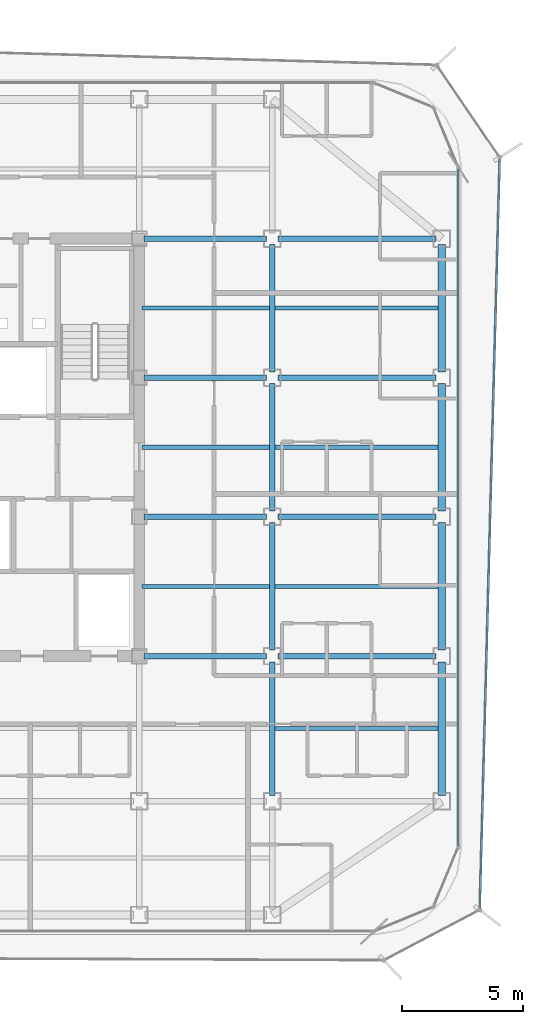
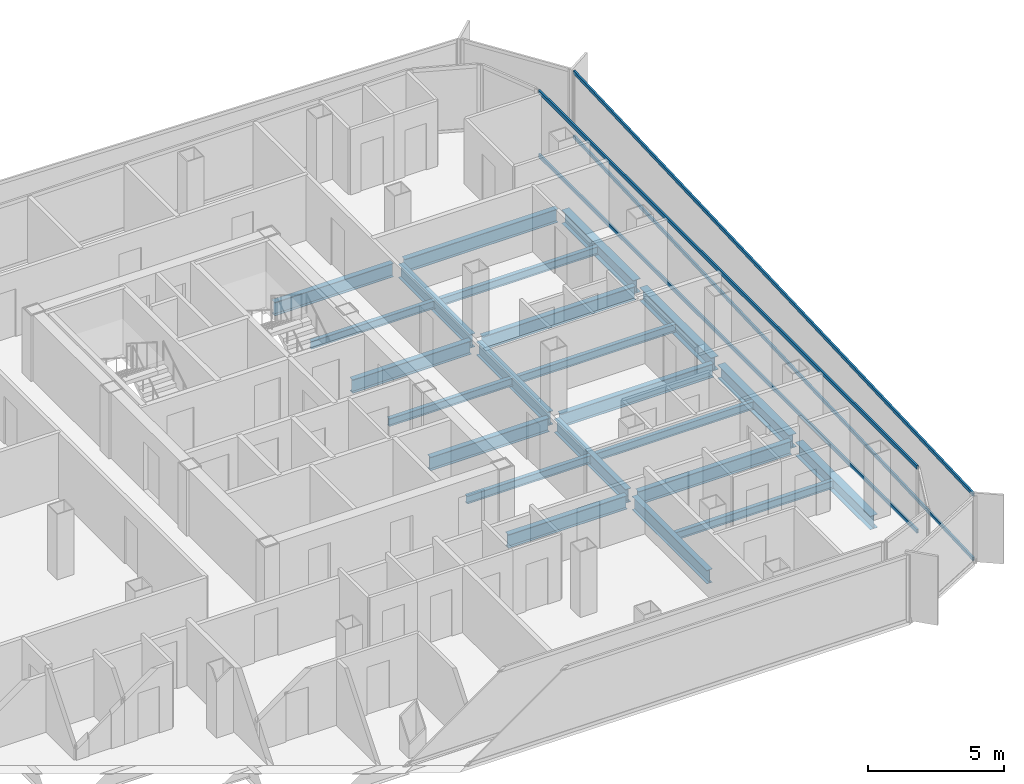
# One storey, part 5 of 16: 23 beams, 4 members, 2 elements without a shape of their own.
"""IFC4 building model written with IfcOpenShell, lengths in metres."""

from ifc_helpers import new_model, si_unit, direction, frame, origin, origin_2d, place, context, subcontext, project, spatial, hollow_rectangle, i_section, extrude, source, transform, mapped, material, layer, layer_set, material_profile, profile_set, type_object, element, aggregate, save


model = new_model("IFC4")

# Units and contexts
model_context = context("Model", 3, precision=1e-05, world=origin(), true_north=direction((0.0, 1.0)))
body_context = subcontext(model_context, "Body", "Model", "MODEL_VIEW")
ifc_project = project(units=[si_unit("LENGTHUNIT", "METRE"), si_unit("AREAUNIT", "SQUARE_METRE"), si_unit("VOLUMEUNIT", "CUBIC_METRE"), si_unit("PLANEANGLEUNIT", "RADIAN"), si_unit("MASSUNIT", "GRAM", prefix="KILO")], contexts=[model_context])

# Site, building, storey
site_placement = place(None, origin())
site = spatial("IfcSite", under=ifc_project, at=site_placement, CompositionType="ELEMENT")
building_placement = place(site_placement, origin())
building = spatial("IfcBuilding", under=site, at=building_placement, Name="Kolveth Station Tower", CompositionType="ELEMENT")
storey_placement = place(building_placement, frame((0.0, 0.0, 175.300048828125)))
storey = spatial("IfcBuildingStorey", under=building, at=storey_placement, Name="L49", CompositionType="ELEMENT", Elevation=175.300048828125)

# Beams
ifc_material_1 = material(Name="Steel S355", Category="steel")
ifc_material_profile_1 = material_profile(ifc_material_1, i_section(OverallWidth=0.323974609375, OverallDepth=0.611083984375, WebThickness=0.0126953125, FlangeThickness=0.01904296875, at=origin_2d()), Name="W610x155")
ifc_profile_set_1 = profile_set([ifc_material_profile_1], Name="Steel S355")
beam_type_1 = type_object("IfcBeamType", Name="Beam_SP2", PredefinedType="SPANDREL", material=ifc_profile_set_1)
shared_shape_1 = source(origin(), body_context, "Body", "SweptSolid", [
    extrude(i_section(OverallWidth=0.323974609375, OverallDepth=0.611083984375, WebThickness=0.0126953125, FlangeThickness=0.01904296875, at=origin_2d()), origin(), (0.0, 0.0, 1.0), 5.52001953125),
])
beam_1_placement = place(storey_placement, frame((41.0, 5.739990234375, -0.5556640625), z_axis=(0.0, 1.0, 0.0), x_axis=(-1.0, 0.0, 0.0)))
element("IfcBeam", 1, at=beam_1_placement, inside=storey, type_object=beam_type_1, Name="L49 Perimeter Spandrel BM-L49-PE-1", PredefinedType="SPANDREL", context=body_context, shape_type="MappedRepresentation", body=[
    mapped(shared_shape_1, transform((0.0, 0.0, 0.0), x_axis=(1.0, 0.0, 0.0), y_axis=(0.0, 1.0, 0.0), z_axis=(0.0, 0.0, 1.0), scale=1.0)),
])
shared_shape_2 = source(origin(), body_context, "Body", "SweptSolid", [
    extrude(i_section(OverallWidth=0.323974609375, OverallDepth=0.611083984375, WebThickness=0.0126953125, FlangeThickness=0.01904296875, at=origin_2d()), origin(), (0.0, 0.0, 1.0), 5.27001953125),
])
for number, where, z_axis, x_axis, name in (
    (2, (41.0, 11.739990234375, -0.5556640625), (0.0, 1.0, 0.0), (-1.0, 0.0, 0.0), "L49 Perimeter Spandrel BM-L49-PE-2"),
    (3, (41.0, 17.489990234375, -0.5556640625), (0.0, 1.0, 0.0), (-1.0, 0.0, 0.0), "L49 Perimeter Spandrel BM-L49-PE-3"),
    (4, (41.0, 23.239990234375, -0.5556640625), (0.0, 1.0, 0.0), (-1.0, 0.0, 0.0), "L49 Perimeter Spandrel BM-L49-PE-4"),
):
    element("IfcBeam", number, at=place(storey_placement, frame(where, z_axis=z_axis, x_axis=x_axis)), inside=storey, type_object=beam_type_1, Name=name, PredefinedType="SPANDREL", context=body_context, shape_type="MappedRepresentation", body=[
        mapped(shared_shape_2, transform((0.0, 0.0, 0.0), x_axis=(1.0, 0.0, 0.0), y_axis=(0.0, 1.0, 0.0), z_axis=(0.0, 0.0, 1.0), scale=1.0)),
    ])
ifc_material_profile_2 = material_profile(ifc_material_1, i_section(OverallWidth=0.22900390625, OverallDepth=0.612060546875, WebThickness=0.011962890625, FlangeThickness=0.01953125, at=origin_2d()), Name="W610x125")
ifc_profile_set_2 = profile_set([ifc_material_profile_2], Name="Steel S355")
beam_type_2 = type_object("IfcBeamType", Name="Beam_B5", PredefinedType="BEAM", material=ifc_profile_set_2)
shared_shape_3 = source(origin(), body_context, "Body", "SweptSolid", [
    extrude(i_section(OverallWidth=0.22900390625, OverallDepth=0.612060546875, WebThickness=0.011962890625, FlangeThickness=0.01953125, at=origin_2d()), origin(), (0.0, 0.0, 1.0), 6.52001953125),
])
for number, where, z_axis, x_axis, name in (
    (5, (34.239990234375, 11.5, -0.55615234375), (1.0, 0.0, 0.0), (0.0, 1.0, 0.0), "L49 Primary Girder BM-L49-GY115-6"),
    (6, (34.239990234375, 17.25, -0.55615234375), (1.0, 0.0, 0.0), (0.0, 1.0, 0.0), "L49 Primary Girder BM-L49-GY172-6"),
    (7, (34.239990234375, 23.0, -0.55615234375), (1.0, 0.0, 0.0), (0.0, 1.0, 0.0), "L49 Primary Girder BM-L49-GY230-6"),
    (8, (34.239990234375, 28.75, -0.55615234375), (1.0, 0.0, 0.0), (0.0, 1.0, 0.0), "L49 Primary Girder BM-L49-GY287-6"),
):
    element("IfcBeam", number, at=place(storey_placement, frame(where, z_axis=z_axis, x_axis=x_axis)), inside=storey, type_object=beam_type_2, Name=name, PredefinedType="BEAM", context=body_context, shape_type="MappedRepresentation", body=[
        mapped(shared_shape_3, transform((0.0, 0.0, 0.0), x_axis=(1.0, 0.0, 0.0), y_axis=(0.0, 1.0, 0.0), z_axis=(0.0, 0.0, 1.0), scale=1.0)),
    ])
shared_shape_4 = source(origin(), body_context, "Body", "SweptSolid", [
    extrude(i_section(OverallWidth=0.22900390625, OverallDepth=0.612060546875, WebThickness=0.011962890625, FlangeThickness=0.01953125, at=origin_2d()), origin(), (0.0, 0.0, 1.0), 5.06005859375),
])
for number, where, z_axis, x_axis, name in (
    (9, (28.699951171875, 11.5, -0.55615234375), (1.0, 0.0, 0.0), (0.0, 1.0, 0.0), "L49 Primary Girder BM-L49-GY115-5"),
    (10, (28.699951171875, 17.25, -0.55615234375), (1.0, 0.0, 0.0), (0.0, 1.0, 0.0), "L49 Primary Girder BM-L49-GY172-5"),
    (11, (28.699951171875, 23.0, -0.55615234375), (1.0, 0.0, 0.0), (0.0, 1.0, 0.0), "L49 Primary Girder BM-L49-GY230-5"),
    (12, (28.699951171875, 28.75, -0.55615234375), (1.0, 0.0, 0.0), (0.0, 1.0, 0.0), "L49 Primary Girder BM-L49-GY287-5"),
):
    element("IfcBeam", number, at=place(storey_placement, frame(where, z_axis=z_axis, x_axis=x_axis)), inside=storey, type_object=beam_type_2, Name=name, PredefinedType="BEAM", context=body_context, shape_type="MappedRepresentation", body=[
        mapped(shared_shape_4, transform((0.0, 0.0, 0.0), x_axis=(1.0, 0.0, 0.0), y_axis=(0.0, 1.0, 0.0), z_axis=(0.0, 0.0, 1.0), scale=1.0)),
    ])
shared_shape_5 = source(origin(), body_context, "Body", "SweptSolid", [
    extrude(i_section(OverallWidth=0.22900390625, OverallDepth=0.612060546875, WebThickness=0.011962890625, FlangeThickness=0.01953125, at=origin_2d()), origin(), (0.0, 0.0, 1.0), 5.52001953125),
])
beam_2_placement = place(storey_placement, frame((34.0, 5.739990234375, -0.55615234375), z_axis=(0.0, 1.0, 0.0), x_axis=(-1.0, 0.0, 0.0)))
element("IfcBeam", 13, at=beam_2_placement, inside=storey, type_object=beam_type_2, Name="L49 Primary Girder BM-L49-GX340-2", PredefinedType="BEAM", context=body_context, shape_type="MappedRepresentation", body=[
    mapped(shared_shape_5, transform((0.0, 0.0, 0.0), x_axis=(1.0, 0.0, 0.0), y_axis=(0.0, 1.0, 0.0), z_axis=(0.0, 0.0, 1.0), scale=1.0)),
])
shared_shape_6 = source(origin(), body_context, "Body", "SweptSolid", [
    extrude(i_section(OverallWidth=0.22900390625, OverallDepth=0.612060546875, WebThickness=0.011962890625, FlangeThickness=0.01953125, at=origin_2d()), origin(), (0.0, 0.0, 1.0), 5.27001953125),
])
for number, where, z_axis, x_axis, name in (
    (14, (34.0, 11.739990234375, -0.55615234375), (0.0, 1.0, 0.0), (-1.0, 0.0, 0.0), "L49 Primary Girder BM-L49-GX340-3"),
    (15, (34.0, 17.489990234375, -0.55615234375), (0.0, 1.0, 0.0), (-1.0, 0.0, 0.0), "L49 Primary Girder BM-L49-GX340-4"),
    (16, (34.0, 23.239990234375, -0.55615234375), (0.0, 1.0, 0.0), (-1.0, 0.0, 0.0), "L49 Primary Girder BM-L49-GX340-5"),
):
    element("IfcBeam", number, at=place(storey_placement, frame(where, z_axis=z_axis, x_axis=x_axis)), inside=storey, type_object=beam_type_2, Name=name, PredefinedType="BEAM", context=body_context, shape_type="MappedRepresentation", body=[
        mapped(shared_shape_6, transform((0.0, 0.0, 0.0), x_axis=(1.0, 0.0, 0.0), y_axis=(0.0, 1.0, 0.0), z_axis=(0.0, 0.0, 1.0), scale=1.0)),
    ])
ifc_material_profile_3 = material_profile(ifc_material_1, i_section(OverallWidth=0.1708984375, OverallDepth=0.35205078125, WebThickness=0.0068359375, FlangeThickness=0.009765625, at=origin_2d()), Name="W360x44")
ifc_profile_set_3 = profile_set([ifc_material_profile_3], Name="Steel S355")
beam_type_3 = type_object("IfcBeamType", Name="Beam_J2", PredefinedType="JOIST", material=ifc_profile_set_3)
shared_shape_7 = source(origin(), body_context, "Body", "SweptSolid", [
    extrude(i_section(OverallWidth=0.1708984375, OverallDepth=0.35205078125, WebThickness=0.0068359375, FlangeThickness=0.009765625, at=origin_2d()), origin(), (0.0, 0.0, 1.0), 5.27490234375),
])
for number, where, z_axis, x_axis, name in (
    (17, (28.612548828125, 14.375, -0.426025390625), (1.0, 0.0, 0.0), (0.0, 1.0, 0.0), "L49 Secondary Joist JST-L49-5-3"),
    (18, (28.612548828125, 20.125, -0.426025390625), (1.0, 0.0, 0.0), (0.0, 1.0, 0.0), "L49 Secondary Joist JST-L49-5-4"),
    (19, (28.612548828125, 25.875, -0.426025390625), (1.0, 0.0, 0.0), (0.0, 1.0, 0.0), "L49 Secondary Joist JST-L49-5-5"),
):
    element("IfcBeam", number, at=place(storey_placement, frame(where, z_axis=z_axis, x_axis=x_axis)), inside=storey, type_object=beam_type_3, Name=name, PredefinedType="JOIST", context=body_context, shape_type="MappedRepresentation", body=[
        mapped(shared_shape_7, transform((0.0, 0.0, 0.0), x_axis=(1.0, 0.0, 0.0), y_axis=(0.0, 1.0, 0.0), z_axis=(0.0, 0.0, 1.0), scale=1.0)),
    ])
shared_shape_8 = source(origin(), body_context, "Body", "SweptSolid", [
    extrude(i_section(OverallWidth=0.1708984375, OverallDepth=0.35205078125, WebThickness=0.0068359375, FlangeThickness=0.009765625, at=origin_2d()), origin(), (0.0, 0.0, 1.0), 6.7275390625),
])
for number, where, z_axis, x_axis, name in (
    (20, (34.112548828125, 8.5, -0.426025390625), (1.0, 0.0, 0.0), (0.0, 1.0, 0.0), "L49 Secondary Joist JST-L49-6-2"),
    (21, (34.112548828125, 14.375, -0.426025390625), (1.0, 0.0, 0.0), (0.0, 1.0, 0.0), "L49 Secondary Joist JST-L49-6-3"),
    (22, (34.112548828125, 20.125, -0.426025390625), (1.0, 0.0, 0.0), (0.0, 1.0, 0.0), "L49 Secondary Joist JST-L49-6-4"),
    (23, (34.112548828125, 25.875, -0.426025390625), (1.0, 0.0, 0.0), (0.0, 1.0, 0.0), "L49 Secondary Joist JST-L49-6-5"),
):
    element("IfcBeam", number, at=place(storey_placement, frame(where, z_axis=z_axis, x_axis=x_axis)), inside=storey, type_object=beam_type_3, Name=name, PredefinedType="JOIST", context=body_context, shape_type="MappedRepresentation", body=[
        mapped(shared_shape_8, transform((0.0, 0.0, 0.0), x_axis=(1.0, 0.0, 0.0), y_axis=(0.0, 1.0, 0.0), z_axis=(0.0, 0.0, 1.0), scale=1.0)),
    ])

# Curtain wall, members
ifc_material_2 = material(Name="Aluminium 6063-T6 and low-E dark glass", Category="aluminium")
ifc_layer_1 = layer(ifc_material_2, 0.18994140625)
ifc_layer_set_1 = layer_set([ifc_layer_1], Name="Aluminium 6063-T6 and low-E dark glass")
curtain_wall_type_1 = type_object("IfcCurtainWallType", Name="CurtainWall_CW-Z2", PredefinedType="NOTDEFINED", material=ifc_layer_set_1)
curtain_wall_1_placement = place(storey_placement, origin())
curtain_wall_1 = element("IfcCurtainWall", 24, at=curtain_wall_1_placement, inside=storey, type_object=curtain_wall_type_1, Name="L49 Inner Thermal Curtain Wall 3", PredefinedType="NOTDEFINED")
ifc_material_3 = material(Name="Black anodized aluminium 6063-T6", Category="aluminium")
ifc_material_profile_4 = material_profile(ifc_material_3, hollow_rectangle(XDim=0.080078125, YDim=0.169921875, WallThickness=0.0048828125, at=origin_2d()), Name="ALU-80x170x5")
ifc_profile_set_4 = profile_set([ifc_material_profile_4], Name="Black anodized aluminium 6063-T6")
member_type_1 = type_object("IfcMemberType", Name="Transom_TR2", PredefinedType="USERDEFINED", material=ifc_profile_set_4)
shared_shape_9 = source(origin(), body_context, "Body", "SweptSolid", [
    extrude(hollow_rectangle(XDim=0.080078125, YDim=0.169921875, WallThickness=0.0048828125, at=origin_2d()), origin(), (0.0, 0.0, 1.0), 27.940185546875),
])
member_1_placement = place(storey_placement, frame((41.679931640625, 3.679931640625, 0.0400390625), z_axis=(0.0, 1.0, 0.0), x_axis=(-1.0, 0.0, 0.0)))
member_1 = element("IfcMember", 25, at=member_1_placement, type_object=member_type_1, Name="CW-Z2 transom 1.1", ObjectType="TRANSOM", PredefinedType="USERDEFINED", context=body_context, shape_type="MappedRepresentation", body=[
    mapped(shared_shape_9, transform((0.0, 0.0, 0.0), x_axis=(1.0, 0.0, 0.0), y_axis=(0.0, 1.0, 0.0), z_axis=(0.0, 0.0, 1.0), scale=1.0)),
])
member_2_placement = place(storey_placement, frame((41.679931640625, 3.679931640625, 2.909912109375), z_axis=(0.0, 1.0, 0.0), x_axis=(-1.0, 0.0, 0.0)))
member_2 = element("IfcMember", 26, at=member_2_placement, type_object=member_type_1, Name="CW-Z2 transom 1.2", ObjectType="TRANSOM", PredefinedType="USERDEFINED", context=body_context, shape_type="MappedRepresentation", body=[
    mapped(shared_shape_9, transform((0.0, 0.0, 0.0), x_axis=(1.0, 0.0, 0.0), y_axis=(0.0, 1.0, 0.0), z_axis=(0.0, 0.0, 1.0), scale=1.0)),
])
aggregate(curtain_wall_1, [member_1, member_2])

ifc_material_4 = material(Name="Black anodized aluminium 6063-T6 and dark solar glass", Category="aluminium")
ifc_layer_2 = layer(ifc_material_4, 0.159912109375)
ifc_layer_set_2 = layer_set([ifc_layer_2], Name="Black anodized aluminium 6063-T6 and dark solar glass")
curtain_wall_type_2 = type_object("IfcCurtainWallType", Name="OUTER SKIN CW-OS", PredefinedType="NOTDEFINED", material=ifc_layer_set_2)
curtain_wall_2_placement = place(storey_placement, origin())
curtain_wall_2 = element("IfcCurtainWall", 27, at=curtain_wall_2_placement, inside=storey, type_object=curtain_wall_type_2, Name="L49 Outer Ventilated Skin Curtain Wall 2", PredefinedType="NOTDEFINED")
ifc_material_profile_5 = material_profile(ifc_material_3, hollow_rectangle(XDim=0.080078125, YDim=0.14990234375, WallThickness=0.0048828125, at=origin_2d()), Name="ALU-80x150x5")
ifc_profile_set_5 = profile_set([ifc_material_profile_5], Name="Black anodized aluminium 6063-T6")
member_type_2 = type_object("IfcMemberType", Name="Transom_TR-OS", PredefinedType="USERDEFINED", material=ifc_profile_set_5)
shared_shape_10 = source(origin(), body_context, "Body", "SweptSolid", [
    extrude(hollow_rectangle(XDim=0.080078125, YDim=0.14990234375, WallThickness=0.0048828125, at=origin_2d()), origin(), (0.0, 0.0, 1.0), 30.927001953125),
])
member_3_placement = place(storey_placement, frame((42.573974609375, 1.097900390625, 0.0400390625), z_axis=(0.026618904747, 0.999645654175, 0.0), x_axis=(-0.999645654175, 0.026618904747, 0.0)))
member_3 = element("IfcMember", 28, at=member_3_placement, type_object=member_type_2, Name="CW-OS transom 1.1", ObjectType="TRANSOM", PredefinedType="USERDEFINED", context=body_context, shape_type="MappedRepresentation", body=[
    mapped(shared_shape_10, transform((0.0, 0.0, 0.0), x_axis=(1.0, 0.0, 0.0), y_axis=(0.0, 1.0, 0.0), z_axis=(0.0, 0.0, 1.0), scale=1.0)),
])
member_4_placement = place(storey_placement, frame((42.573974609375, 1.097900390625, 2.949951171875), z_axis=(0.026618904747, 0.999645654175, 0.0), x_axis=(-0.999645654175, 0.026618904747, 0.0)))
member_4 = element("IfcMember", 29, at=member_4_placement, type_object=member_type_2, Name="CW-OS transom 1.2", ObjectType="TRANSOM", PredefinedType="USERDEFINED", context=body_context, shape_type="MappedRepresentation", body=[
    mapped(shared_shape_10, transform((0.0, 0.0, 0.0), x_axis=(1.0, 0.0, 0.0), y_axis=(0.0, 1.0, 0.0), z_axis=(0.0, 0.0, 1.0), scale=1.0)),
])
aggregate(curtain_wall_2, [member_3, member_4])

save(model, "model.ifc")
